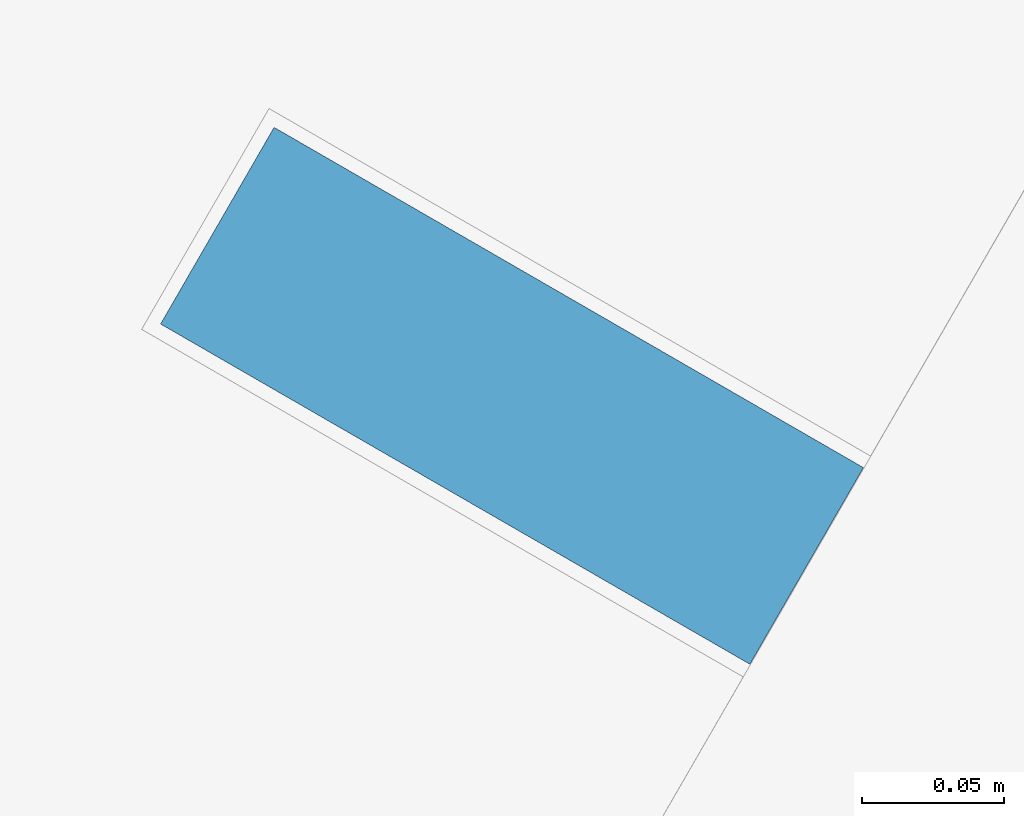
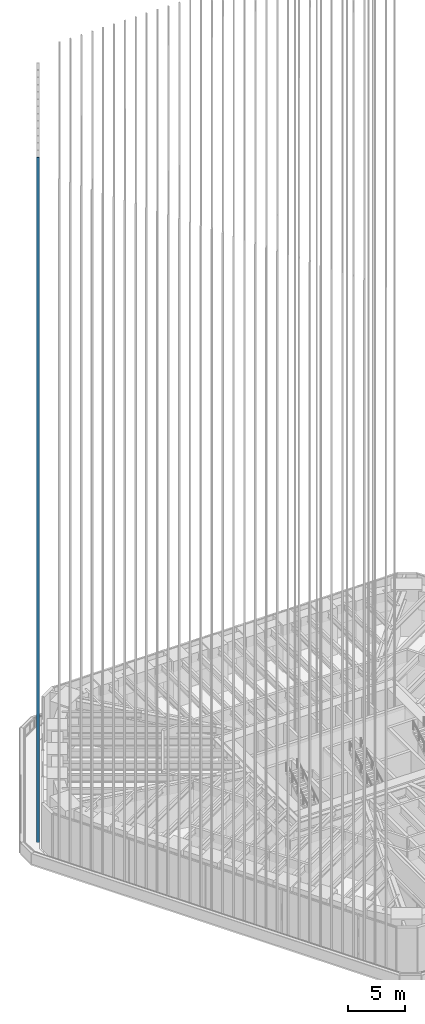
# One storey, part 131 of 228: 1 member, 1 element without a shape of its own.
"""IFC4 building model written with IfcOpenShell, lengths in metres."""

from ifc_helpers import new_model, si_unit, direction, frame, origin, origin_2d, place, context, subcontext, project, spatial, rectangle, extrude, material, material_profile, profile_set, type_object, element, aggregate, save


model = new_model("IFC4")

# Units and contexts
model_context = context("Model", 3, precision=1e-05, world=origin(), true_north=direction((0.0, 1.0)))
body_context = subcontext(model_context, "Body", "Model", "MODEL_VIEW")
ifc_project = project(units=[si_unit("LENGTHUNIT", "METRE"), si_unit("AREAUNIT", "SQUARE_METRE"), si_unit("VOLUMEUNIT", "CUBIC_METRE"), si_unit("PLANEANGLEUNIT", "RADIAN"), si_unit("MASSUNIT", "GRAM", prefix="KILO")], contexts=[model_context])

# Site, building, storey
site_placement = place(None, origin())
site = spatial("IfcSite", under=ifc_project, at=site_placement, CompositionType="ELEMENT")
building_placement = place(site_placement, origin())
building = spatial("IfcBuilding", under=site, at=building_placement, Name="Sandreach Pilgrim Tower", CompositionType="ELEMENT")
storey_placement = place(building_placement, frame((0.0, 0.0, 178.199951171875)))
storey = spatial("IfcBuildingStorey", under=building, at=storey_placement, Name="L44", CompositionType="ELEMENT", Elevation=178.199951171875)

# Curtain wall, member
ifc_material_1 = material(Name="Aluminium framed curtain wall", Category="aluminium")
curtain_wall_type = type_object("IfcCurtainWallType", Name="Upper hotel tower curtain wall", PredefinedType="NOTDEFINED", material=ifc_material_1)
curtain_wall_placement = place(storey_placement, origin())
curtain_wall = element("IfcCurtainWall", 1, at=curtain_wall_placement, inside=storey, type_object=curtain_wall_type, Name="CW-3 L44 NW", PredefinedType="NOTDEFINED")
ifc_material_2 = material(Name="Extruded terracotta on aluminium core", Category="masonry")
ifc_material_profile = material_profile(ifc_material_2, rectangle(XDim=0.080078125, YDim=0.239990234375, at=origin_2d()), Name="TBW 80X240")
ifc_profile_set = profile_set([ifc_material_profile], Name="Extruded terracotta on aluminium core")
member_type = type_object("IfcMemberType", Name="Terracotta baguette west", PredefinedType="USERDEFINED", material=ifc_profile_set)
member_placement = place(storey_placement, frame((-26.94921875, 7.213134765625, 0.0), z_axis=(0.0, 0.0, 1.0), x_axis=(0.5, 0.866025403784, 0.0)))
member = element("IfcMember", 2, at=member_placement, type_object=member_type, Name="Baguette Z3 NW01", ObjectType="BAGUETTE", PredefinedType="USERDEFINED", context=body_context, shape_type="SweptSolid", body=[
    extrude(rectangle(XDim=0.080078125, YDim=0.239990234375, at=origin_2d()), origin(), (0.0, 0.0, 1.0), 73.239990234375),
])
aggregate(curtain_wall, [member])

save(model, "model.ifc")
